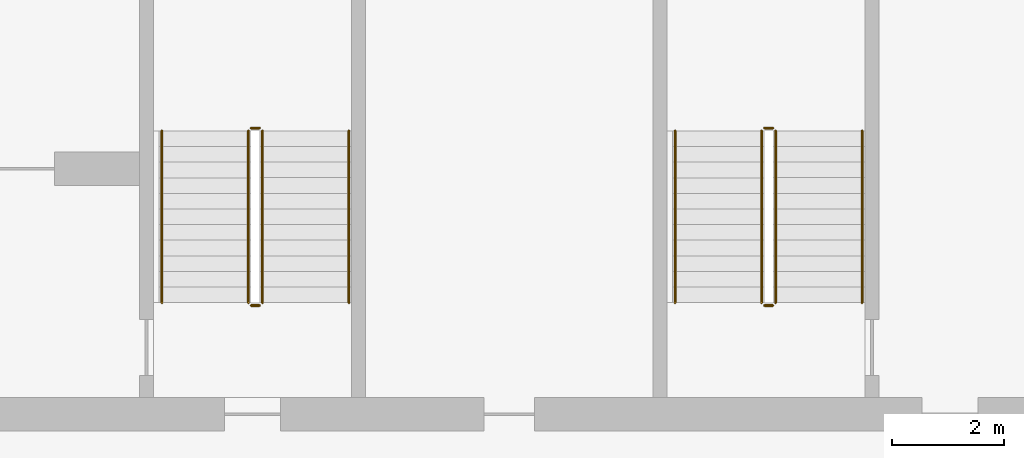
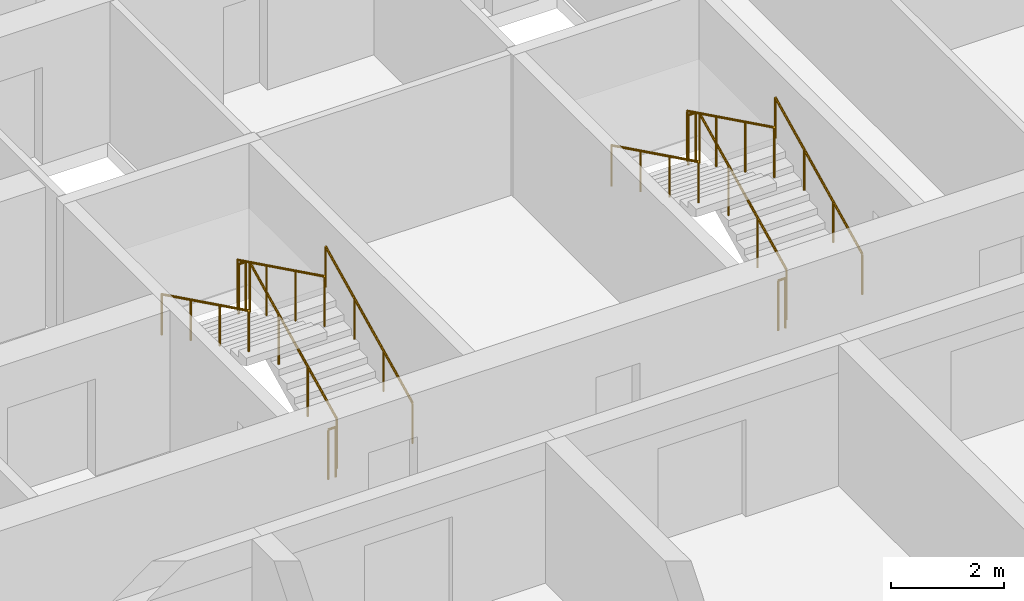
# One storey, part 20 of 21: 12 railings.
"""IFC4 building model written with IfcOpenShell, lengths in metres."""

from ifc_helpers import new_model, si_unit, direction, frame, origin, origin_2d, place, context, subcontext, project, spatial, circle, extrude, material, type_object, element, save


model = new_model("IFC4")

# Units and contexts
model_context = context("Model", 3, precision=1e-05, world=origin(), true_north=direction((0.0, 1.0)))
body_context = subcontext(model_context, "Body", "Model", "MODEL_VIEW")
ifc_project = project(units=[si_unit("LENGTHUNIT", "METRE"), si_unit("AREAUNIT", "SQUARE_METRE"), si_unit("VOLUMEUNIT", "CUBIC_METRE"), si_unit("PLANEANGLEUNIT", "RADIAN"), si_unit("MASSUNIT", "GRAM", prefix="KILO")], contexts=[model_context])

# Site, building, storey
site_placement = place(None, origin())
site = spatial("IfcSite", under=ifc_project, at=site_placement, CompositionType="ELEMENT")
building_placement = place(site_placement, origin())
building = spatial("IfcBuilding", under=site, at=building_placement, Name="Poui Terraces", CompositionType="ELEMENT")
storey_placement = place(building_placement, frame((0.0, 0.0, 53.10009765625)))
storey = spatial("IfcBuildingStorey", under=building, at=storey_placement, Name="L14", CompositionType="ELEMENT", Elevation=53.10009765625)

# Railings
ifc_material_1 = material(Name="Galvanised steel balustrade", Category="steel")
railing_type_1 = type_object("IfcRailingType", Name="STAIR GUARD 1100", PredefinedType="GUARDRAIL", material=ifc_material_1)
railing_1_placement = place(storey_placement, frame((70.27490234375, 16.60009765625, 0.137451171875)))
element("IfcRailing", 1, at=railing_1_placement, inside=storey, type_object=railing_type_1, Name="L14 ST-CE stair guard 1", PredefinedType="GUARDRAIL", context=body_context, shape_type="SweptSolid", body=[
    extrude(circle(Radius=0.02392578125, at=origin_2d()), frame((0.0, 0.0, 1.076171875), z_axis=(0.0, 0.897606190399, 0.440798283751), x_axis=(-1.0, 0.0, 0.0)), (0.0, 0.0, 1.0), 3.43115234375),
    extrude(circle(Radius=0.02099609375, at=origin_2d()), origin(), (0.0, 0.0, 1.0), 1.052001953125),
    extrude(circle(Radius=0.02099609375, at=origin_2d()), frame((0.0, 1.026611328125, 0.504150390625)), (0.0, 0.0, 1.0), 1.052001953125),
    extrude(circle(Radius=0.02099609375, at=origin_2d()), frame((0.0, 2.05322265625, 1.00830078125)), (0.0, 0.0, 1.0), 1.052001953125),
    extrude(circle(Radius=0.02099609375, at=origin_2d()), frame((0.0, 3.079833984375, 1.512451171875)), (0.0, 0.0, 1.0), 1.052001953125),
])
railing_2_placement = place(storey_placement, frame((70.22509765625, 19.72998046875, 1.64990234375)))
element("IfcRailing", 2, at=railing_2_placement, inside=storey, type_object=railing_type_1, Name="L14 ST-CE stair guard 2", PredefinedType="GUARDRAIL", context=body_context, shape_type="SweptSolid", body=[
    extrude(circle(Radius=0.02392578125, at=origin_2d()), frame((0.0, 0.0, 1.076171875), z_axis=(-1.0, 0.0, 0.0), x_axis=(0.0, -1.0, 0.0)), (0.0, 0.0, 1.0), 0.150146484375),
    extrude(circle(Radius=0.02099609375, at=origin_2d()), origin(), (0.0, 0.0, 1.0), 1.052001953125),
    extrude(circle(Radius=0.02099609375, at=origin_2d()), frame((-0.150146484375, 0.0, 0.0)), (0.0, 0.0, 1.0), 1.052001953125),
])
railing_3_placement = place(storey_placement, frame((70.02490234375, 19.679931640625, 1.787353515625)))
element("IfcRailing", 3, at=railing_3_placement, inside=storey, type_object=railing_type_1, Name="L14 ST-CE stair guard 3", PredefinedType="GUARDRAIL", context=body_context, shape_type="SweptSolid", body=[
    extrude(circle(Radius=0.02392578125, at=origin_2d()), frame((0.0, 0.0, 1.076171875), z_axis=(0.0, -0.897606190399, 0.440798283751), x_axis=(1.0, 0.0, 0.0)), (0.0, 0.0, 1.0), 3.43115234375),
    extrude(circle(Radius=0.02099609375, at=origin_2d()), origin(), (0.0, 0.0, 1.0), 1.052001953125),
    extrude(circle(Radius=0.02099609375, at=origin_2d()), frame((0.0, -1.026611328125, 0.504150390625)), (0.0, 0.0, 1.0), 1.052001953125),
    extrude(circle(Radius=0.02099609375, at=origin_2d()), frame((0.0, -2.05322265625, 1.00830078125)), (0.0, 0.0, 1.0), 1.052001953125),
    extrude(circle(Radius=0.02099609375, at=origin_2d()), frame((0.0, -3.079833984375, 1.512451171875)), (0.0, 0.0, 1.0), 1.052001953125),
])
railing_4_placement = place(storey_placement, frame((70.22509765625, 16.550048828125, 0.0)))
element("IfcRailing", 4, at=railing_4_placement, inside=storey, type_object=railing_type_1, Name="L14 ST-CE stair guard 4", PredefinedType="GUARDRAIL", context=body_context, shape_type="SweptSolid", body=[
    extrude(circle(Radius=0.02392578125, at=origin_2d()), frame((0.0, 0.0, 1.076171875), z_axis=(-1.0, 0.0, 0.0), x_axis=(0.0, -1.0, 0.0)), (0.0, 0.0, 1.0), 0.150146484375),
    extrude(circle(Radius=0.02099609375, at=origin_2d()), origin(), (0.0, 0.0, 1.0), 1.052001953125),
    extrude(circle(Radius=0.02099609375, at=origin_2d()), frame((-0.150146484375, 0.0, 0.0)), (0.0, 0.0, 1.0), 1.052001953125),
])
railing_5_placement = place(storey_placement, frame((79.47509765625, 16.60009765625, 0.137451171875)))
element("IfcRailing", 5, at=railing_5_placement, inside=storey, type_object=railing_type_1, Name="L14 ST-E stair guard 1", PredefinedType="GUARDRAIL", context=body_context, shape_type="SweptSolid", body=[
    extrude(circle(Radius=0.02392578125, at=origin_2d()), frame((0.0, 0.0, 1.076171875), z_axis=(0.0, 0.897606190399, 0.440798283751), x_axis=(-1.0, 0.0, 0.0)), (0.0, 0.0, 1.0), 3.43115234375),
    extrude(circle(Radius=0.02099609375, at=origin_2d()), origin(), (0.0, 0.0, 1.0), 1.052001953125),
    extrude(circle(Radius=0.02099609375, at=origin_2d()), frame((0.0, 1.026611328125, 0.504150390625)), (0.0, 0.0, 1.0), 1.052001953125),
    extrude(circle(Radius=0.02099609375, at=origin_2d()), frame((0.0, 2.05322265625, 1.00830078125)), (0.0, 0.0, 1.0), 1.052001953125),
    extrude(circle(Radius=0.02099609375, at=origin_2d()), frame((0.0, 3.079833984375, 1.512451171875)), (0.0, 0.0, 1.0), 1.052001953125),
])
railing_6_placement = place(storey_placement, frame((79.425048828125, 19.72998046875, 1.64990234375)))
element("IfcRailing", 6, at=railing_6_placement, inside=storey, type_object=railing_type_1, Name="L14 ST-E stair guard 2", PredefinedType="GUARDRAIL", context=body_context, shape_type="SweptSolid", body=[
    extrude(circle(Radius=0.02392578125, at=origin_2d()), frame((0.0, 0.0, 1.076171875), z_axis=(-1.0, 0.0, 0.0), x_axis=(0.0, -1.0, 0.0)), (0.0, 0.0, 1.0), 0.150146484375),
    extrude(circle(Radius=0.02099609375, at=origin_2d()), origin(), (0.0, 0.0, 1.0), 1.052001953125),
    extrude(circle(Radius=0.02099609375, at=origin_2d()), frame((-0.150146484375, 0.0, 0.0)), (0.0, 0.0, 1.0), 1.052001953125),
])
railing_7_placement = place(storey_placement, frame((79.22509765625, 19.679931640625, 1.787353515625)))
element("IfcRailing", 7, at=railing_7_placement, inside=storey, type_object=railing_type_1, Name="L14 ST-E stair guard 3", PredefinedType="GUARDRAIL", context=body_context, shape_type="SweptSolid", body=[
    extrude(circle(Radius=0.02392578125, at=origin_2d()), frame((0.0, 0.0, 1.076171875), z_axis=(0.0, -0.897606190399, 0.440798283751), x_axis=(1.0, 0.0, 0.0)), (0.0, 0.0, 1.0), 3.43115234375),
    extrude(circle(Radius=0.02099609375, at=origin_2d()), origin(), (0.0, 0.0, 1.0), 1.052001953125),
    extrude(circle(Radius=0.02099609375, at=origin_2d()), frame((0.0, -1.026611328125, 0.504150390625)), (0.0, 0.0, 1.0), 1.052001953125),
    extrude(circle(Radius=0.02099609375, at=origin_2d()), frame((0.0, -2.05322265625, 1.00830078125)), (0.0, 0.0, 1.0), 1.052001953125),
    extrude(circle(Radius=0.02099609375, at=origin_2d()), frame((0.0, -3.079833984375, 1.512451171875)), (0.0, 0.0, 1.0), 1.052001953125),
])
railing_8_placement = place(storey_placement, frame((79.425048828125, 16.550048828125, 0.0)))
element("IfcRailing", 8, at=railing_8_placement, inside=storey, type_object=railing_type_1, Name="L14 ST-E stair guard 4", PredefinedType="GUARDRAIL", context=body_context, shape_type="SweptSolid", body=[
    extrude(circle(Radius=0.02392578125, at=origin_2d()), frame((0.0, 0.0, 1.076171875), z_axis=(-1.0, 0.0, 0.0), x_axis=(0.0, -1.0, 0.0)), (0.0, 0.0, 1.0), 0.150146484375),
    extrude(circle(Radius=0.02099609375, at=origin_2d()), origin(), (0.0, 0.0, 1.0), 1.052001953125),
    extrude(circle(Radius=0.02099609375, at=origin_2d()), frame((-0.150146484375, 0.0, 0.0)), (0.0, 0.0, 1.0), 1.052001953125),
])
ifc_material_2 = material(Name="Stainless steel handrail", Category="steel")
railing_type_2 = type_object("IfcRailingType", Name="STAIR HANDRAIL 900", PredefinedType="HANDRAIL", material=ifc_material_2)
railing_9_placement = place(storey_placement, frame((71.824951171875, 16.60009765625, 0.137451171875)))
element("IfcRailing", 9, at=railing_9_placement, inside=storey, type_object=railing_type_2, Name="L14 ST-CE stair handrail 1", PredefinedType="HANDRAIL", context=body_context, shape_type="SweptSolid", body=[
    extrude(circle(Radius=0.02392578125, at=origin_2d()), frame((0.0, 0.0, 0.8759765625), z_axis=(0.0, 0.897606190399, 0.440798283751), x_axis=(-1.0, 0.0, 0.0)), (0.0, 0.0, 1.0), 3.43115234375),
    extrude(circle(Radius=0.02099609375, at=origin_2d()), origin(), (0.0, 0.0, 1.0), 0.851806640625),
    extrude(circle(Radius=0.02099609375, at=origin_2d()), frame((0.0, 1.026611328125, 0.504150390625)), (0.0, 0.0, 1.0), 0.851806640625),
    extrude(circle(Radius=0.02099609375, at=origin_2d()), frame((0.0, 2.05322265625, 1.00830078125)), (0.0, 0.0, 1.0), 0.851806640625),
    extrude(circle(Radius=0.02099609375, at=origin_2d()), frame((0.0, 3.079833984375, 1.512451171875)), (0.0, 0.0, 1.0), 0.851806640625),
])
railing_10_placement = place(storey_placement, frame((68.47509765625, 19.679931640625, 1.787353515625)))
element("IfcRailing", 10, at=railing_10_placement, inside=storey, type_object=railing_type_2, Name="L14 ST-CE stair handrail 2", PredefinedType="HANDRAIL", context=body_context, shape_type="SweptSolid", body=[
    extrude(circle(Radius=0.02392578125, at=origin_2d()), frame((0.0, 0.0, 0.8759765625), z_axis=(0.0, -0.897606190399, 0.440798283751), x_axis=(1.0, 0.0, 0.0)), (0.0, 0.0, 1.0), 3.43115234375),
    extrude(circle(Radius=0.02099609375, at=origin_2d()), origin(), (0.0, 0.0, 1.0), 0.851806640625),
    extrude(circle(Radius=0.02099609375, at=origin_2d()), frame((0.0, -1.026611328125, 0.504150390625)), (0.0, 0.0, 1.0), 0.851806640625),
    extrude(circle(Radius=0.02099609375, at=origin_2d()), frame((0.0, -2.05322265625, 1.00830078125)), (0.0, 0.0, 1.0), 0.851806640625),
    extrude(circle(Radius=0.02099609375, at=origin_2d()), frame((0.0, -3.079833984375, 1.512451171875)), (0.0, 0.0, 1.0), 0.851806640625),
])
railing_11_placement = place(storey_placement, frame((81.02490234375, 16.60009765625, 0.137451171875)))
element("IfcRailing", 11, at=railing_11_placement, inside=storey, type_object=railing_type_2, Name="L14 ST-E stair handrail 1", PredefinedType="HANDRAIL", context=body_context, shape_type="SweptSolid", body=[
    extrude(circle(Radius=0.02392578125, at=origin_2d()), frame((0.0, 0.0, 0.8759765625), z_axis=(0.0, 0.897606190399, 0.440798283751), x_axis=(-1.0, 0.0, 0.0)), (0.0, 0.0, 1.0), 3.43115234375),
    extrude(circle(Radius=0.02099609375, at=origin_2d()), origin(), (0.0, 0.0, 1.0), 0.851806640625),
    extrude(circle(Radius=0.02099609375, at=origin_2d()), frame((0.0, 1.026611328125, 0.504150390625)), (0.0, 0.0, 1.0), 0.851806640625),
    extrude(circle(Radius=0.02099609375, at=origin_2d()), frame((0.0, 2.05322265625, 1.00830078125)), (0.0, 0.0, 1.0), 0.851806640625),
    extrude(circle(Radius=0.02099609375, at=origin_2d()), frame((0.0, 3.079833984375, 1.512451171875)), (0.0, 0.0, 1.0), 0.851806640625),
])
railing_12_placement = place(storey_placement, frame((77.675048828125, 19.679931640625, 1.787353515625)))
element("IfcRailing", 12, at=railing_12_placement, inside=storey, type_object=railing_type_2, Name="L14 ST-E stair handrail 2", PredefinedType="HANDRAIL", context=body_context, shape_type="SweptSolid", body=[
    extrude(circle(Radius=0.02392578125, at=origin_2d()), frame((0.0, 0.0, 0.8759765625), z_axis=(0.0, -0.897606190399, 0.440798283751), x_axis=(1.0, 0.0, 0.0)), (0.0, 0.0, 1.0), 3.43115234375),
    extrude(circle(Radius=0.02099609375, at=origin_2d()), origin(), (0.0, 0.0, 1.0), 0.851806640625),
    extrude(circle(Radius=0.02099609375, at=origin_2d()), frame((0.0, -1.026611328125, 0.504150390625)), (0.0, 0.0, 1.0), 0.851806640625),
    extrude(circle(Radius=0.02099609375, at=origin_2d()), frame((0.0, -2.05322265625, 1.00830078125)), (0.0, 0.0, 1.0), 0.851806640625),
    extrude(circle(Radius=0.02099609375, at=origin_2d()), frame((0.0, -3.079833984375, 1.512451171875)), (0.0, 0.0, 1.0), 0.851806640625),
])

save(model, "model.ifc")
